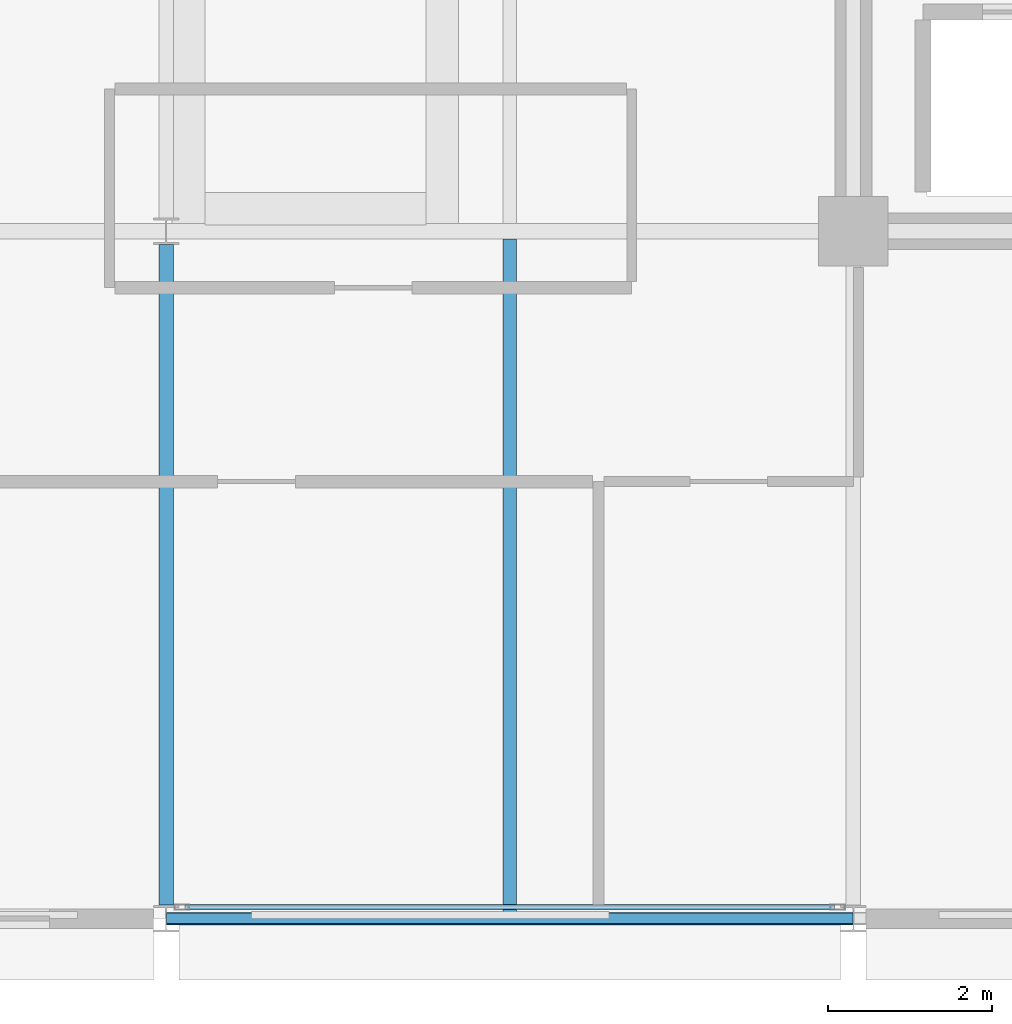
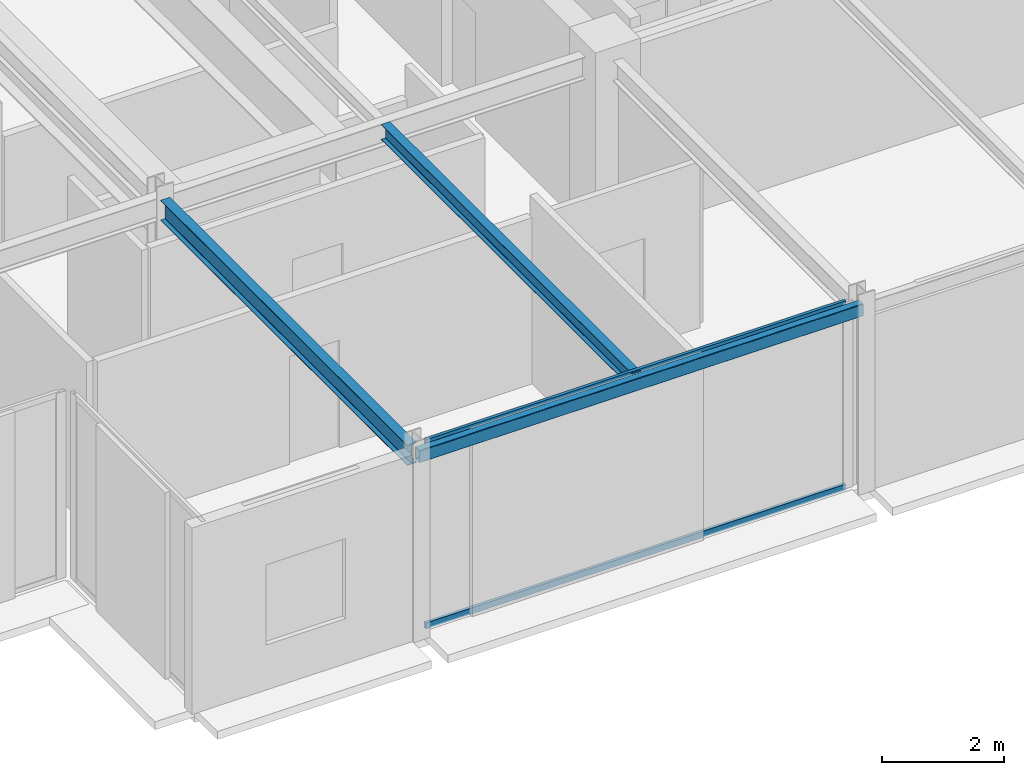
# One storey, part 4 of 25: 3 beams, 2 members, 1 element without a shape of its own.
"""IFC4 building model written with IfcOpenShell, lengths in metres."""

import ifcopenshell
import ifcopenshell.guid

model = None  # the IFC model being written
_history = None  # IfcOwnerHistory: only IFC2X3 demands one
_inside = {}  # id of a spatial element -> (the spatial element, [elements in it])
_under = {}  # id of a project, library or spatial element -> (it, [spatial elements below it])
_declared = {}  # id of a project -> (the project, [libraries it declares])
_typed = {}  # id of a type object -> (the type object, [elements of that type])
_made_of = {}  # id of a material, layer set ... -> (it, [elements and type objects made of it])


def new_model(schema):
    """Start an empty IFC model of exactly this schema.

    Asked for "IFC4X3", IfcOpenShell would pick the latest addendum, in which some entities
    have other attributes; the version numbers below select the first issue.
    IFC2X3 requires an IfcOwnerHistory on every rooted entity: one is made here for all.
    """
    global model, _history
    if schema == "IFC4X3":
        model = ifcopenshell.file(schema_version=(4, 3, 0, 0))
    else:
        model = ifcopenshell.file(schema=schema)
    _inside.clear()
    _under.clear()
    _declared.clear()
    _typed.clear()
    _made_of.clear()
    _history = None
    if model.schema == "IFC2X3":
        org = make("IfcOrganization", Name="unknown")
        user = make(
            "IfcPersonAndOrganization",
            ThePerson=make("IfcPerson", FamilyName="unknown"),
            TheOrganization=org,
        )
        app = make(
            "IfcApplication",
            ApplicationDeveloper=org,
            Version="unknown",
            ApplicationFullName="unknown",
            ApplicationIdentifier="unknown",
        )
        _history = make(
            "IfcOwnerHistory",
            OwningUser=user,
            OwningApplication=app,
            ChangeAction="ADDED",
            CreationDate=0,
        )
    return model


def make(cls, **values):
    """One entity of the class cls with the attributes given. An attribute that is None is left unset."""
    return model.create_entity(
        cls, **{name: value for name, value in values.items() if value is not None}
    )


def rooted(cls, **values):
    """An entity with a GlobalId (a new one), such as an element, a storey or a relation."""
    return make(cls, GlobalId=ifcopenshell.guid.new(), OwnerHistory=_history, **values)


def si_unit(unit_type, name, prefix=None):
    """IfcSIUnit, for example si_unit("LENGTHUNIT", "METRE", prefix="MILLI")."""
    return make("IfcSIUnit", UnitType=unit_type, Prefix=prefix, Name=name)


def assignment(units):
    """IfcUnitAssignment: the units of a project."""
    return None if units is None else make("IfcUnitAssignment", Units=units)


def point(xyz):
    """IfcCartesianPoint."""
    return None if xyz is None else make("IfcCartesianPoint", Coordinates=xyz)


def direction(xyz):
    """IfcDirection."""
    return None if xyz is None else make("IfcDirection", DirectionRatios=xyz)


def frame(location, z_axis=None, x_axis=None):
    """IfcAxis2Placement3D, a coordinate frame: its origin and axes. An axis left out is left unset."""
    return make(
        "IfcAxis2Placement3D",
        Location=point(location),
        Axis=direction(z_axis),
        RefDirection=direction(x_axis),
    )


def frame_2d(location, x_axis=None):
    """IfcAxis2Placement2D, a coordinate frame in the plane: its origin and x axis."""
    return make(
        "IfcAxis2Placement2D", Location=point(location), RefDirection=direction(x_axis)
    )


def origin():
    """The frame at (0, 0, 0) with its axes left unset."""
    return frame((0.0, 0.0, 0.0))


def origin_2d():
    """The frame at (0, 0) in the plane with its x axis left unset."""
    return frame_2d((0.0, 0.0))


def place(relative_to, where):
    """IfcLocalPlacement: puts the frame where relative to a parent placement (None: the world)."""
    return make(
        "IfcLocalPlacement", PlacementRelTo=relative_to, RelativePlacement=where
    )


def context(
    kind, dimensions, precision=None, world=None, true_north=None, identifier=None
):
    """IfcGeometricRepresentationContext, for example the 3D "Model" context."""
    return make(
        "IfcGeometricRepresentationContext",
        ContextIdentifier=identifier,
        ContextType=kind,
        CoordinateSpaceDimension=dimensions,
        Precision=precision,
        WorldCoordinateSystem=world,
        TrueNorth=true_north,
    )


def subcontext(parent, identifier, kind, view, scale=None):
    """IfcGeometricRepresentationSubContext, for example "Body" below "Model"."""
    return make(
        "IfcGeometricRepresentationSubContext",
        ContextIdentifier=identifier,
        ContextType=kind,
        ParentContext=parent,
        TargetScale=scale,
        TargetView=view,
    )


def project(units=None, contexts=None):
    """IfcProject with its units and contexts."""
    return rooted(
        "IfcProject",
        Name="project",
        RepresentationContexts=contexts,
        UnitsInContext=assignment(units),
    )


def spatial(cls, under=None, at=None, **own):
    """A site, building, storey or space (cls), placed at a placement, below another one or the project."""
    s = rooted(cls, ObjectPlacement=at, **own)
    if under is not None:
        _under.setdefault(under.id(), (under, []))[1].append(s)
    return s


def profile(cls, at=None, kind="AREA", **sizes):
    """A parametric profile (cls). Its sizes go by their IFC names, for example OverallWidth=200.0."""
    return make(cls, ProfileType=kind, Position=at, **sizes)


def hollow_rectangle(**sizes):
    """IfcRectangleHollowProfileDef."""
    return profile("IfcRectangleHollowProfileDef", **sizes)


def i_section(**sizes):
    """IfcIShapeProfileDef."""
    return profile("IfcIShapeProfileDef", **sizes)


def extrude(swept, where, along, depth):
    """IfcExtrudedAreaSolid: the profile swept, set in the frame where, extruded along a direction by depth."""
    return make(
        "IfcExtrudedAreaSolid",
        SweptArea=swept,
        Position=where,
        ExtrudedDirection=direction(along),
        Depth=depth,
    )


def shape(context_of_items, identifier, shape_type, items):
    """IfcShapeRepresentation: the items that make up one representation, for example the "Body"."""
    return make(
        "IfcShapeRepresentation",
        ContextOfItems=context_of_items,
        RepresentationIdentifier=identifier,
        RepresentationType=shape_type,
        Items=items,
    )


def material(Name=None, Category=None):
    """IfcMaterial."""
    return make("IfcMaterial", Name=Name, Category=Category)


def layer(
    of_material, thickness, ventilated=None, Name=None, Category=None, Priority=None
):
    """IfcMaterialLayer: one layer of a wall or slab, of a material (None: an air gap)."""
    return make(
        "IfcMaterialLayer",
        Material=of_material,
        LayerThickness=thickness,
        IsVentilated=ventilated,
        Name=Name,
        Category=Category,
        Priority=Priority,
    )


def layer_set(layers, Name=None):
    """IfcMaterialLayerSet."""
    return make("IfcMaterialLayerSet", MaterialLayers=layers, LayerSetName=Name)


def material_profile(
    of_material, cross_section, Name=None, Category=None, Priority=None
):
    """IfcMaterialProfile: a cross section and its material."""
    return make(
        "IfcMaterialProfile",
        Name=Name,
        Material=of_material,
        Profile=cross_section,
        Priority=Priority,
        Category=Category,
    )


def profile_set(profiles, Name=None, composite=None):
    """IfcMaterialProfileSet."""
    return make(
        "IfcMaterialProfileSet",
        Name=Name,
        MaterialProfiles=profiles,
        CompositeProfile=composite,
    )


def made_of(thing, what):
    """Note that an element or type object is made of a material, layer set ...; save() writes the relation."""
    if what is not None:
        _made_of.setdefault(what.id(), (what, []))[1].append(thing)
    return thing


def type_object(cls, material=None, **own):
    """A type object (cls), such as IfcWallType, which elements share."""
    return made_of(rooted(cls, **own), material)


def element(
    cls,
    number,
    at=None,
    inside=None,
    cuts=None,
    type_object=None,
    material=None,
    context=None,
    identifier="Body",
    shape_type=None,
    held_by="IfcProductDefinitionShape",
    body=None,
    shapes=None,
    **own,
):
    """One element of the class cls, such as IfcWall. Its Tag is "e" and its number.

    at: its placement. inside: the storey or other place that contains it. cuts: it is an
    opening in that element (IfcRelVoidsElement). A single representation is given by context,
    identifier, shape_type and body (its items); several are given by shapes. held_by: the class
    of the entity that holds the representations. save() writes the other relations.
    """
    e = rooted(cls, Tag="e%d" % number, ObjectPlacement=at, **own)
    if body is not None:
        shapes = [shape(context, identifier, shape_type, body)]
    if shapes is not None:
        e.Representation = make(held_by, Representations=shapes)
    if inside is not None:
        _inside.setdefault(inside.id(), (inside, []))[1].append(e)
    if cuts is not None:
        rooted(
            "IfcRelVoidsElement", RelatingBuildingElement=cuts, RelatedOpeningElement=e
        )
    if type_object is not None:
        _typed.setdefault(type_object.id(), (type_object, []))[1].append(e)
    return made_of(e, material)


def aggregate(whole, parts):
    """IfcRelAggregates: a whole, such as a stair, and the parts it consists of."""
    return rooted("IfcRelAggregates", RelatingObject=whole, RelatedObjects=parts)


def save(model, path):
    """Write the relations noted so far, then the file.

    IfcRelAggregates (storeys below a building ...), IfcRelContainedInSpatialStructure (elements
    in a storey), IfcRelDefinesByType, IfcRelAssociatesMaterial and IfcRelDeclares: one each for
    every whole, place, type object, material and project.
    """
    for whole, parts in _under.values():
        aggregate(whole, parts)
    for where, things in _inside.values():
        rooted(
            "IfcRelContainedInSpatialStructure",
            RelatedElements=things,
            RelatingStructure=where,
        )
    for kind, things in _typed.values():
        rooted("IfcRelDefinesByType", RelatedObjects=things, RelatingType=kind)
    for what, things in _made_of.values():
        rooted("IfcRelAssociatesMaterial", RelatedObjects=things, RelatingMaterial=what)
    for by, libraries in _declared.values():
        rooted("IfcRelDeclares", RelatingContext=by, RelatedDefinitions=libraries)
    model.write(path)


model = new_model("IFC4")

# Units and contexts
model_context = context("Model", 3, precision=1e-05, world=origin(), true_north=direction((0.0, 1.0)))
body_context = subcontext(model_context, "Body", "Model", "MODEL_VIEW")
ifc_project = project(units=[si_unit("LENGTHUNIT", "METRE"), si_unit("AREAUNIT", "SQUARE_METRE"), si_unit("VOLUMEUNIT", "CUBIC_METRE"), si_unit("PLANEANGLEUNIT", "RADIAN"), si_unit("MASSUNIT", "GRAM", prefix="KILO")], contexts=[model_context])

# Site, building, storey
site_placement = place(None, origin())
site = spatial("IfcSite", under=ifc_project, at=site_placement, CompositionType="ELEMENT")
building_placement = place(site_placement, origin())
building = spatial("IfcBuilding", under=site, at=building_placement, Name="Nerrivon Quay Data Exchange", CompositionType="ELEMENT")
storey_placement = place(building_placement, frame((0.0, 0.0, 314.199951171875)))
storey = spatial("IfcBuildingStorey", under=building, at=storey_placement, Name="L75", CompositionType="ELEMENT", Elevation=314.199951171875)

# Beams
ifc_material_1 = material(Name="Steel Grade 350", Category="steel")
ifc_material_profile_1 = material_profile(ifc_material_1, i_section(OverallWidth=0.177978515625, OverallDepth=0.406005859375, WebThickness=0.0078125, FlangeThickness=0.0126953125, FilletRadius=0.011474609375, at=origin_2d()), Name="410UB59.7")
ifc_profile_set_1 = profile_set([ifc_material_profile_1], Name="Steel Grade 350")
beam_type_1 = type_object("IfcBeamType", Name="BM-J1-410UB60", PredefinedType="JOIST", material=ifc_profile_set_1)
beam_1_placement = place(storey_placement, frame((8.39990234375, 0.16357421875, 3.52197265625), z_axis=(0.0, 1.0, 0.0), x_axis=(-1.0, 0.0, 0.0)))
element("IfcBeam", 1, at=beam_1_placement, inside=storey, type_object=beam_type_1, Name="L75 NS Girder X=8.4 (0.0..8.4)", PredefinedType="JOIST", context=body_context, shape_type="SweptSolid", body=[
    extrude(i_section(OverallWidth=0.177978515625, OverallDepth=0.406005859375, WebThickness=0.0078125, FlangeThickness=0.0126953125, FilletRadius=0.011474609375, at=origin_2d()), origin(), (0.0, 0.0, 1.0), 8.072998046875),
])
ifc_material_profile_2 = material_profile(ifc_material_1, i_section(OverallWidth=0.1650390625, OverallDepth=0.303955078125, WebThickness=0.006103515625, FlangeThickness=0.01025390625, FilletRadius=0.011474609375, at=origin_2d()), Name="310UB40.4")
ifc_profile_set_2 = profile_set([ifc_material_profile_2], Name="Steel Grade 350")
beam_type_2 = type_object("IfcBeamType", Name="BM-J6-310UB40", PredefinedType="JOIST", material=ifc_profile_set_2)
beam_2_placement = place(storey_placement, frame((12.60009765625, 0.074951171875, 3.572998046875), z_axis=(0.0, 1.0, 0.0), x_axis=(-1.0, 0.0, 0.0)))
element("IfcBeam", 2, at=beam_2_placement, inside=storey, type_object=beam_type_2, Name="L75 Secondary Joist X=12.6 (0.0..8.4)", PredefinedType="JOIST", context=body_context, shape_type="SweptSolid", body=[
    extrude(i_section(OverallWidth=0.1650390625, OverallDepth=0.303955078125, WebThickness=0.006103515625, FlangeThickness=0.01025390625, FilletRadius=0.011474609375, at=origin_2d()), origin(), (0.0, 0.0, 1.0), 8.22998046875),
])
ifc_material_2 = material(Name="Steel Grade C350L0 (350 MPa)", Category="steel")
ifc_material_profile_3 = material_profile(ifc_material_2, hollow_rectangle(XDim=0.14990234375, YDim=0.25, WallThickness=0.009033203125, InnerFilletRadius=0.013427734375, OuterFilletRadius=0.0224609375, at=origin_2d()), Name="250x150x9.0RHS")
ifc_profile_set_3 = profile_set([ifc_material_profile_3], Name="Steel Grade C350L0 (350 MPa)")
beam_type_3 = type_object("IfcBeamType", Name="BM-SP4-250x150RHS", PredefinedType="SPANDREL", material=ifc_profile_set_3)
beam_3_placement = place(storey_placement, frame((8.40771484375, 0.0, 3.60009765625), z_axis=(1.0, 0.0, 0.0), x_axis=(0.0, 1.0, 0.0)))
element("IfcBeam", 3, at=beam_3_placement, inside=storey, type_object=beam_type_3, Name="L75 EW Girder Y=0.0 (8.4..16.8)", PredefinedType="SPANDREL", context=body_context, shape_type="SweptSolid", body=[
    extrude(hollow_rectangle(XDim=0.14990234375, YDim=0.25, WallThickness=0.009033203125, InnerFilletRadius=0.013427734375, OuterFilletRadius=0.0224609375, at=origin_2d()), origin(), (0.0, 0.0, 1.0), 8.38427734375),
])

# Curtain wall, members
ifc_material_3 = material(Name="Anodised aluminium 6063-T6", Category="aluminium")
ifc_layer = layer(ifc_material_3, 0.195068359375)
ifc_layer_set = layer_set([ifc_layer], Name="Anodised aluminium 6063-T6")
curtain_wall_type = type_object("IfcCurtainWallType", Name="CW-SYS-06", PredefinedType="NOTDEFINED", material=ifc_layer_set)
curtain_wall_placement = place(storey_placement, origin())
curtain_wall = element("IfcCurtainWall", 4, at=curtain_wall_placement, inside=storey, type_object=curtain_wall_type, Name="L75 Unitised Curtain Wall 4", PredefinedType="NOTDEFINED")
ifc_material_profile_4 = material_profile(ifc_material_3, hollow_rectangle(XDim=0.06005859375, YDim=0.1201171875, WallThickness=0.003173828125, at=origin_2d()), Name="ALU-TRAN-120x60")
ifc_profile_set_4 = profile_set([ifc_material_profile_4], Name="Anodised aluminium 6063-T6")
member_type = type_object("IfcMemberType", Name="CWT-120x60", PredefinedType="USERDEFINED", material=ifc_profile_set_4)
member_1_placement = place(storey_placement, frame((16.569580078125, 0.139892578125, 0.032470703125), z_axis=(-1.0, 0.0, 0.0), x_axis=(0.0, -1.0, 0.0)))
member_1 = element("IfcMember", 5, at=member_1_placement, type_object=member_type, Name="CW06 transom 1.1", ObjectType="TRANSOM", PredefinedType="USERDEFINED", context=body_context, shape_type="SweptSolid", body=[
    extrude(hollow_rectangle(XDim=0.06005859375, YDim=0.1201171875, WallThickness=0.003173828125, at=origin_2d()), origin(), (0.0, 0.0, 1.0), 7.93896484375),
])
member_2_placement = place(storey_placement, frame((16.569580078125, 0.139892578125, 3.692626953125), z_axis=(-1.0, 0.0, 0.0), x_axis=(0.0, -1.0, 0.0)))
member_2 = element("IfcMember", 6, at=member_2_placement, type_object=member_type, Name="CW06 transom 1.2", ObjectType="TRANSOM", PredefinedType="USERDEFINED", context=body_context, shape_type="SweptSolid", body=[
    extrude(hollow_rectangle(XDim=0.06005859375, YDim=0.1201171875, WallThickness=0.003173828125, at=origin_2d()), origin(), (0.0, 0.0, 1.0), 7.93896484375),
])
aggregate(curtain_wall, [member_1, member_2])

save(model, "model.ifc")
